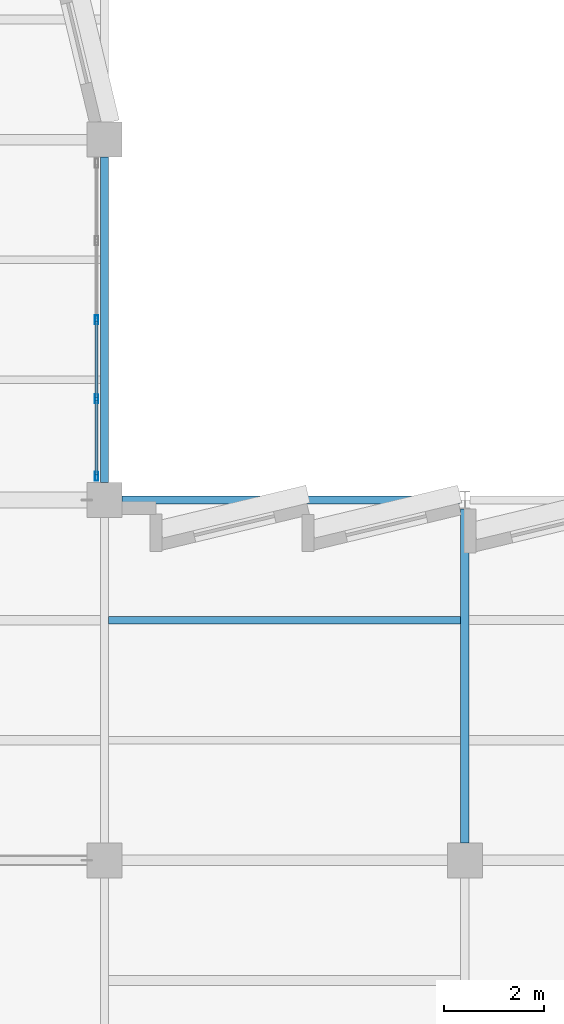
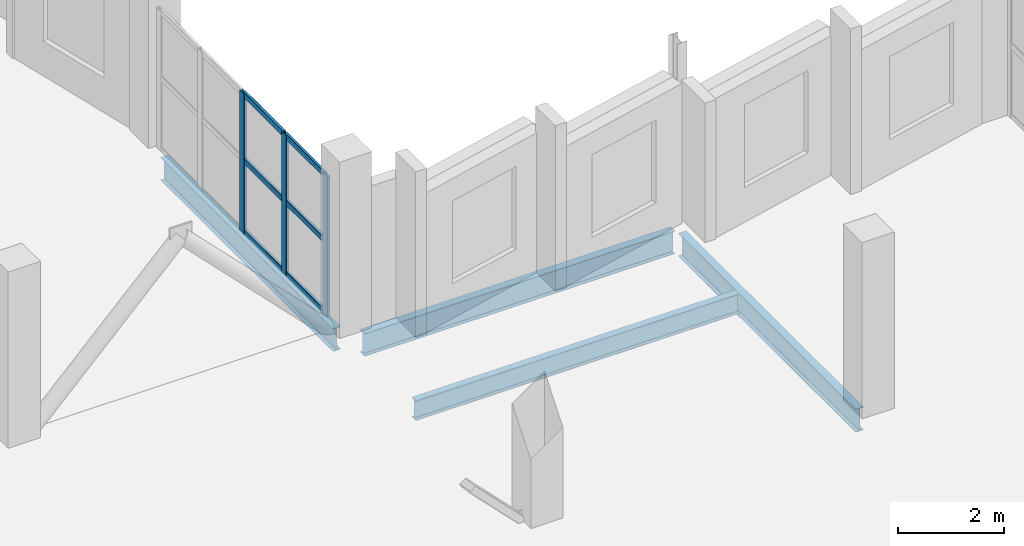
# One storey, part 10 of 33: 9 members, 4 beams, 1 element without a shape of its own.
"""IFC4 building model written with IfcOpenShell, lengths in metres."""

from ifc_helpers import new_model, si_unit, direction, frame, origin, origin_2d, place, context, subcontext, project, spatial, hollow_rectangle, i_section, extrude, material, material_profile, profile_set, type_object, element, aggregate, save


model = new_model("IFC4")

# Units and contexts
model_context = context("Model", 3, precision=1e-05, world=origin(), true_north=direction((0.0, 1.0)))
body_context = subcontext(model_context, "Body", "Model", "MODEL_VIEW")
ifc_project = project(units=[si_unit("LENGTHUNIT", "METRE"), si_unit("AREAUNIT", "SQUARE_METRE"), si_unit("VOLUMEUNIT", "CUBIC_METRE"), si_unit("PLANEANGLEUNIT", "RADIAN"), si_unit("MASSUNIT", "GRAM", prefix="KILO")], contexts=[model_context])

# Site, building, storey
site_placement = place(None, origin())
site = spatial("IfcSite", under=ifc_project, at=site_placement, CompositionType="ELEMENT")
building_placement = place(site_placement, origin())
building = spatial("IfcBuilding", under=site, at=building_placement, Name="Kalmorath City Hall", CompositionType="ELEMENT")
storey_placement = place(building_placement, frame((0.0, 0.0, 22.949951171875)))
storey = spatial("IfcBuildingStorey", under=building, at=storey_placement, Name="L05", CompositionType="ELEMENT", Elevation=22.949951171875)

# Curtain wall, members
ifc_material_1 = material(Name="Anodised aluminium and laminated glass", Category="aluminium")
curtain_wall_type = type_object("IfcCurtainWallType", Name="Unitised hurricane curtain wall 6320x3216 M1450", PredefinedType="NOTDEFINED", material=ifc_material_1)
curtain_wall_placement = place(storey_placement, origin())
curtain_wall = element("IfcCurtainWall", 1, at=curtain_wall_placement, inside=storey, type_object=curtain_wall_type, Name="L05 curtain wall CW-63X32M14 #173", PredefinedType="NOTDEFINED")
ifc_material_2 = material(Name="Anodised aluminium framing", Category="aluminium")
ifc_material_profile_1 = material_profile(ifc_material_2, hollow_rectangle(XDim=0.06494140625, YDim=0.179931640625, WallThickness=0.00390625, InnerFilletRadius=0.00390625, OuterFilletRadius=0.008056640625, at=origin_2d()), Name="ALU-MUL-180X65X4")
ifc_profile_set_1 = profile_set([ifc_material_profile_1], Name="Anodised aluminium framing")
member_type_1 = type_object("IfcMemberType", Name="Curtain-wall courtyard mullion 180x65", PredefinedType="MULLION", material=ifc_profile_set_1)
member_1_placement = place(storey_placement, frame((21.43994140625, 39.60009765625, 0.0), z_axis=(0.0, 0.0, 1.0), x_axis=(1.0, 0.0, 0.0)))
member_1 = element("IfcMember", 2, at=member_1_placement, type_object=member_type_1, Name="CW-63X32M14 mullion 3", PredefinedType="MULLION", context=body_context, shape_type="SweptSolid", body=[
    extrude(hollow_rectangle(XDim=0.06494140625, YDim=0.179931640625, WallThickness=0.00390625, InnerFilletRadius=0.00390625, OuterFilletRadius=0.008056640625, at=origin_2d()), origin(), (0.0, 0.0, 1.0), 3.216064453125),
])
member_2_placement = place(storey_placement, frame((21.43994140625, 38.02001953125, 0.0), z_axis=(0.0, 0.0, 1.0), x_axis=(1.0, 0.0, 0.0)))
member_2 = element("IfcMember", 3, at=member_2_placement, type_object=member_type_1, Name="CW-63X32M14 mullion 4", PredefinedType="MULLION", context=body_context, shape_type="SweptSolid", body=[
    extrude(hollow_rectangle(XDim=0.06494140625, YDim=0.179931640625, WallThickness=0.00390625, InnerFilletRadius=0.00390625, OuterFilletRadius=0.008056640625, at=origin_2d()), origin(), (0.0, 0.0, 1.0), 3.216064453125),
])
member_3_placement = place(storey_placement, frame((21.43994140625, 36.472412109375, 0.0), z_axis=(0.0, 0.0, 1.0), x_axis=(1.0, 0.0, 0.0)))
member_3 = element("IfcMember", 4, at=member_3_placement, type_object=member_type_1, Name="CW-63X32M14 mullion 5", PredefinedType="MULLION", context=body_context, shape_type="SweptSolid", body=[
    extrude(hollow_rectangle(XDim=0.06494140625, YDim=0.179931640625, WallThickness=0.00390625, InnerFilletRadius=0.00390625, OuterFilletRadius=0.008056640625, at=origin_2d()), origin(), (0.0, 0.0, 1.0), 3.216064453125),
])
ifc_material_3 = material(Name="Anodised aluminium framing", Category="aluminium")
ifc_material_profile_2 = material_profile(ifc_material_3, hollow_rectangle(XDim=0.06005859375, YDim=0.1298828125, WallThickness=0.00341796875, InnerFilletRadius=0.00341796875, OuterFilletRadius=0.007080078125, at=origin_2d()), Name="ALU-TRN-130X60X3.5")
ifc_profile_set_2 = profile_set([ifc_material_profile_2], Name="Anodised aluminium framing")
member_type_2 = type_object("IfcMemberType", Name="Curtain-wall courtyard transom 130x60", PredefinedType="USERDEFINED", material=ifc_profile_set_2)
member_4_placement = place(storey_placement, frame((21.43994140625, 39.5673828125, 0.030029296875), z_axis=(0.0, -1.0, 0.0), x_axis=(1.0, 0.0, 0.0)))
member_4 = element("IfcMember", 5, at=member_4_placement, type_object=member_type_2, Name="CW-63X32M14 transom 3.1", ObjectType="TRANSOM", PredefinedType="USERDEFINED", context=body_context, shape_type="SweptSolid", body=[
    extrude(hollow_rectangle(XDim=0.06005859375, YDim=0.1298828125, WallThickness=0.00341796875, InnerFilletRadius=0.00341796875, OuterFilletRadius=0.007080078125, at=origin_2d()), origin(), (0.0, 0.0, 1.0), 1.514892578125),
])
member_5_placement = place(storey_placement, frame((21.43994140625, 39.5673828125, 1.672119140625), z_axis=(0.0, -1.0, 0.0), x_axis=(1.0, 0.0, 0.0)))
member_5 = element("IfcMember", 6, at=member_5_placement, type_object=member_type_2, Name="CW-63X32M14 transom 3.2", ObjectType="TRANSOM", PredefinedType="USERDEFINED", context=body_context, shape_type="SweptSolid", body=[
    extrude(hollow_rectangle(XDim=0.06005859375, YDim=0.1298828125, WallThickness=0.00341796875, InnerFilletRadius=0.00341796875, OuterFilletRadius=0.007080078125, at=origin_2d()), origin(), (0.0, 0.0, 1.0), 1.514892578125),
])
member_6_placement = place(storey_placement, frame((21.43994140625, 39.5673828125, 3.18603515625), z_axis=(0.0, -1.0, 0.0), x_axis=(1.0, 0.0, 0.0)))
member_6 = element("IfcMember", 7, at=member_6_placement, type_object=member_type_2, Name="CW-63X32M14 transom 3.3", ObjectType="TRANSOM", PredefinedType="USERDEFINED", context=body_context, shape_type="SweptSolid", body=[
    extrude(hollow_rectangle(XDim=0.06005859375, YDim=0.1298828125, WallThickness=0.00341796875, InnerFilletRadius=0.00341796875, OuterFilletRadius=0.007080078125, at=origin_2d()), origin(), (0.0, 0.0, 1.0), 1.514892578125),
])
member_7_placement = place(storey_placement, frame((21.43994140625, 37.987548828125, 0.030029296875), z_axis=(0.0, -1.0, 0.0), x_axis=(1.0, 0.0, 0.0)))
member_7 = element("IfcMember", 8, at=member_7_placement, type_object=member_type_2, Name="CW-63X32M14 transom 4.1", ObjectType="TRANSOM", PredefinedType="USERDEFINED", context=body_context, shape_type="SweptSolid", body=[
    extrude(hollow_rectangle(XDim=0.06005859375, YDim=0.1298828125, WallThickness=0.00341796875, InnerFilletRadius=0.00341796875, OuterFilletRadius=0.007080078125, at=origin_2d()), origin(), (0.0, 0.0, 1.0), 1.482666015625),
])
member_8_placement = place(storey_placement, frame((21.43994140625, 37.987548828125, 1.672119140625), z_axis=(0.0, -1.0, 0.0), x_axis=(1.0, 0.0, 0.0)))
member_8 = element("IfcMember", 9, at=member_8_placement, type_object=member_type_2, Name="CW-63X32M14 transom 4.2", ObjectType="TRANSOM", PredefinedType="USERDEFINED", context=body_context, shape_type="SweptSolid", body=[
    extrude(hollow_rectangle(XDim=0.06005859375, YDim=0.1298828125, WallThickness=0.00341796875, InnerFilletRadius=0.00341796875, OuterFilletRadius=0.007080078125, at=origin_2d()), origin(), (0.0, 0.0, 1.0), 1.482666015625),
])
member_9_placement = place(storey_placement, frame((21.43994140625, 37.987548828125, 3.18603515625), z_axis=(0.0, -1.0, 0.0), x_axis=(1.0, 0.0, 0.0)))
member_9 = element("IfcMember", 10, at=member_9_placement, type_object=member_type_2, Name="CW-63X32M14 transom 4.3", ObjectType="TRANSOM", PredefinedType="USERDEFINED", context=body_context, shape_type="SweptSolid", body=[
    extrude(hollow_rectangle(XDim=0.06005859375, YDim=0.1298828125, WallThickness=0.00341796875, InnerFilletRadius=0.00341796875, OuterFilletRadius=0.007080078125, at=origin_2d()), origin(), (0.0, 0.0, 1.0), 1.482666015625),
])
aggregate(curtain_wall, [member_1, member_2, member_3, member_4, member_5, member_6, member_7, member_8, member_9])

# Beams
ifc_material_4 = material(Name="Steel ASTM A992 Grade 50", Category="steel")
ifc_material_profile_3 = material_profile(ifc_material_4, i_section(OverallWidth=0.153076171875, OverallDepth=0.455078125, WebThickness=0.008056640625, FlangeThickness=0.01318359375, FilletRadius=0.013916015625, at=origin_2d()), Name="W18X40")
ifc_profile_set_3 = profile_set([ifc_material_profile_3], Name="Steel ASTM A992 Grade 50")
beam_type_1 = type_object("IfcBeamType", Name="Steel composite joist W18X40", PredefinedType="JOIST", material=ifc_profile_set_3)
beam_1_placement = place(storey_placement, frame((21.68359375, 33.60009765625, -0.521484375), z_axis=(1.0, 0.0, 0.0), x_axis=(0.0, 1.0, 0.0)))
element("IfcBeam", 11, at=beam_1_placement, inside=storey, type_object=beam_type_1, Name="L05 joist SJ4 4.5.2", PredefinedType="JOIST", context=body_context, shape_type="SweptSolid", body=[
    extrude(i_section(OverallWidth=0.153076171875, OverallDepth=0.455078125, WebThickness=0.008056640625, FlangeThickness=0.01318359375, FilletRadius=0.013916015625, at=origin_2d()), origin(), (0.0, 0.0, 1.0), 7.032958984375),
])
ifc_material_5 = material(Name="Steel ASTM A992 Grade 50", Category="steel")
ifc_material_profile_4 = material_profile(ifc_material_5, i_section(OverallWidth=0.1669921875, OverallDepth=0.534912109375, WebThickness=0.01025390625, FlangeThickness=0.0166015625, FilletRadius=0.014892578125, at=origin_2d()), Name="W21X57")
ifc_profile_set_4 = profile_set([ifc_material_profile_4], Name="Steel ASTM A992 Grade 50")
beam_type_2 = type_object("IfcBeamType", Name="Steel floor beam W21X57", PredefinedType="BEAM", material=ifc_profile_set_4)
beam_2_placement = place(storey_placement, frame((28.800048828125, 29.14990234375, -0.5615234375), z_axis=(0.0, 1.0, 0.0), x_axis=(-1.0, 0.0, 0.0)))
element("IfcBeam", 12, at=beam_2_placement, inside=storey, type_object=beam_type_2, Name="L05 girder SB3 Y5/5-6", PredefinedType="BEAM", context=body_context, shape_type="SweptSolid", body=[
    extrude(i_section(OverallWidth=0.1669921875, OverallDepth=0.534912109375, WebThickness=0.01025390625, FlangeThickness=0.0166015625, FilletRadius=0.014892578125, at=origin_2d()), origin(), (0.0, 0.0, 1.0), 6.675048828125),
])
ifc_material_6 = material(Name="Steel ASTM A992 Grade 50", Category="steel")
ifc_material_profile_5 = material_profile(ifc_material_6, i_section(OverallWidth=0.1650390625, OverallDepth=0.52490234375, WebThickness=0.0087890625, FlangeThickness=0.011474609375, FilletRadius=0.014892578125, at=origin_2d()), Name="W21X44")
ifc_profile_set_5 = profile_set([ifc_material_profile_5], Name="Steel ASTM A992 Grade 50")
beam_type_3 = type_object("IfcBeamType", Name="Steel spandrel beam W21X44", PredefinedType="SPANDREL", material=ifc_profile_set_5)
beam_3_placement = place(storey_placement, frame((21.949951171875, 36.0, -0.556396484375), z_axis=(1.0, 0.0, 0.0), x_axis=(0.0, 1.0, 0.0)))
element("IfcBeam", 13, at=beam_3_placement, inside=storey, type_object=beam_type_3, Name="L05 girder SB4 X4-5/6", PredefinedType="SPANDREL", context=body_context, shape_type="SweptSolid", body=[
    extrude(i_section(OverallWidth=0.1650390625, OverallDepth=0.52490234375, WebThickness=0.0087890625, FlangeThickness=0.011474609375, FilletRadius=0.014892578125, at=origin_2d()), origin(), (0.0, 0.0, 1.0), 6.748046875),
])
beam_4_placement = place(storey_placement, frame((21.60009765625, 36.35009765625, -0.556396484375), z_axis=(0.0, 1.0, 0.0), x_axis=(-1.0, 0.0, 0.0)))
element("IfcBeam", 14, at=beam_4_placement, inside=storey, type_object=beam_type_3, Name="L05 girder SB4 Y4/6-7", PredefinedType="SPANDREL", context=body_context, shape_type="SweptSolid", body=[
    extrude(i_section(OverallWidth=0.1650390625, OverallDepth=0.52490234375, WebThickness=0.0087890625, FlangeThickness=0.011474609375, FilletRadius=0.014892578125, at=origin_2d()), origin(), (0.0, 0.0, 1.0), 6.5),
])

save(model, "model.ifc")
